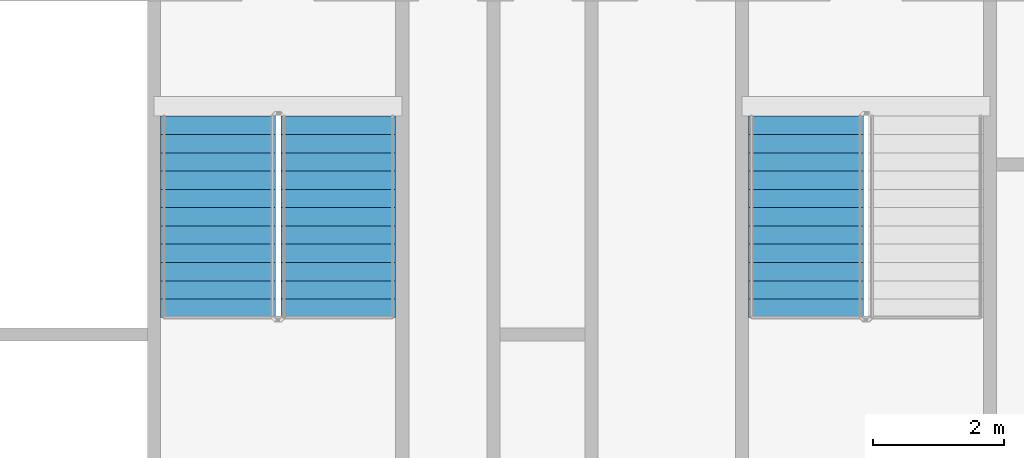
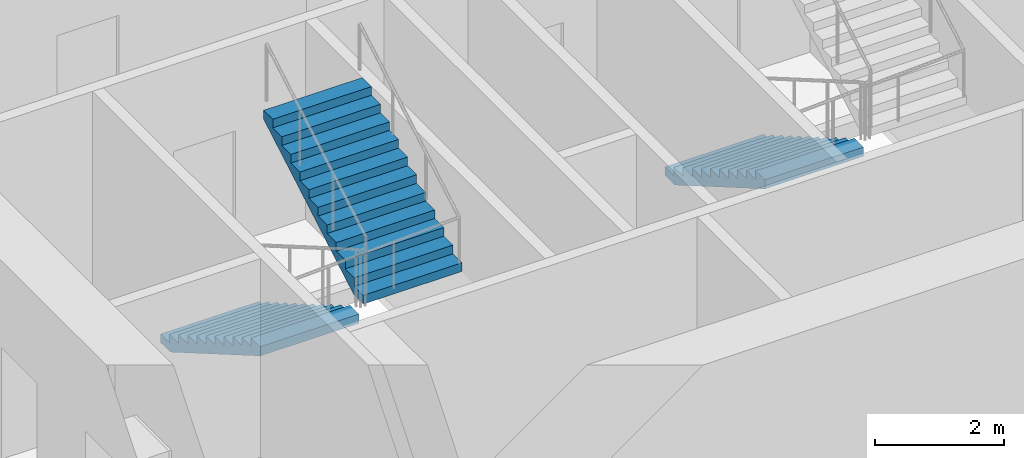
# One storey, part 8 of 15: 3 stair flights, 2 elements without a shape of their own.
"""IFC4 building model written with IfcOpenShell, lengths in metres."""

from ifc_helpers import new_model, si_unit, direction, frame, origin, place, context, subcontext, project, spatial, faceted_brep, material, type_object, element, aggregate, save


model = new_model("IFC4")

# Units and contexts
model_context = context("Model", 3, precision=1e-05, world=origin(), true_north=direction((0.0, 1.0)))
body_context = subcontext(model_context, "Body", "Model", "MODEL_VIEW")
ifc_project = project(units=[si_unit("LENGTHUNIT", "METRE"), si_unit("AREAUNIT", "SQUARE_METRE"), si_unit("VOLUMEUNIT", "CUBIC_METRE"), si_unit("PLANEANGLEUNIT", "RADIAN"), si_unit("MASSUNIT", "GRAM", prefix="KILO")], contexts=[model_context])

# Site, building, storey
site_placement = place(None, origin())
site = spatial("IfcSite", under=ifc_project, at=site_placement, CompositionType="ELEMENT")
building_placement = place(site_placement, origin())
building = spatial("IfcBuilding", under=site, at=building_placement, Name="Tarsis Ring Headquarters", CompositionType="ELEMENT")
storey_placement = place(building_placement, frame((0.0, 0.0, 59.5)))
storey = spatial("IfcBuildingStorey", under=building, at=storey_placement, Name="L12", CompositionType="ELEMENT", Elevation=59.5)

# Stair, stair flights
ifc_material_1 = material(Name="Core stair 1760")
stair_type = type_object("IfcStairType", Name="Core stair 1760", PredefinedType="HALF_TURN_STAIR", material=ifc_material_1)
stair_1_placement = place(storey_placement, origin())
stair_1 = element("IfcStair", 1, at=stair_1_placement, inside=storey, type_object=stair_type, Name="L12 Exit stair C", PredefinedType="HALF_TURN_STAIR")
ifc_material_2 = material(Name="Concrete C40/50", Category="concrete")
stair_flight_type = type_object("IfcStairFlightType", Name="Core stair flight 1760", PredefinedType="STRAIGHT", material=ifc_material_2)
stair_flight_1_placement = place(storey_placement, frame((-5.419921875, -3.659912109375, 0.0), z_axis=(0.0, 0.0, 1.0), x_axis=(0.0, -1.0, 0.0)))
stair_flight_1 = element("IfcStairFlight", 2, at=stair_flight_1_placement, type_object=stair_flight_type, Name="Stair ST3 flight 1", NumberOfRisers=12, NumberOfTreads=11, PredefinedType="STRAIGHT", RiserHeight=0.1625, TreadLength=0.28, context=body_context, shape_type="Brep", body=[
    faceted_brep([(0.0, 0.8798828125, 0.0), (0.0, 0.8798828125, 0.16259765625), (0.280029296875, 0.8798828125, 0.16259765625), (0.280029296875, 0.8798828125, 0.324951171875), (0.56005859375, 0.8798828125, 0.324951171875), (0.56005859375, 0.8798828125, 0.487548828125), (0.840087890625, 0.8798828125, 0.487548828125), (0.840087890625, 0.8798828125, 0.64990234375), (1.1201171875, 0.8798828125, 0.64990234375), (1.1201171875, 0.8798828125, 0.8125), (1.39990234375, 0.8798828125, 0.8125), (1.39990234375, 0.8798828125, 0.97509765625), (1.679931640625, 0.8798828125, 0.97509765625), (1.679931640625, 0.8798828125, 1.137451171875), (1.9599609375, 0.8798828125, 1.137451171875), (1.9599609375, 0.8798828125, 1.300048828125), (2.239990234375, 0.8798828125, 1.300048828125), (2.239990234375, 0.8798828125, 1.46240234375), (2.52001953125, 0.8798828125, 1.46240234375), (2.52001953125, 0.8798828125, 1.625), (2.800048828125, 0.8798828125, 1.625), (2.800048828125, 0.8798828125, 1.78759765625), (3.080078125, 0.8798828125, 1.78759765625), (3.080078125, 0.8798828125, 1.6142578125), (0.298583984375, 0.8798828125, 0.0), (0.298583984375, -0.8798828125, 0.0), (3.080078125, -0.8798828125, 1.6142578125), (3.080078125, -0.8798828125, 1.78759765625), (2.800048828125, -0.8798828125, 1.78759765625), (2.800048828125, -0.8798828125, 1.625), (2.52001953125, -0.8798828125, 1.625), (2.52001953125, -0.8798828125, 1.46240234375), (2.239990234375, -0.8798828125, 1.46240234375), (2.239990234375, -0.8798828125, 1.300048828125), (1.9599609375, -0.8798828125, 1.300048828125), (1.9599609375, -0.8798828125, 1.137451171875), (1.679931640625, -0.8798828125, 1.137451171875), (1.679931640625, -0.8798828125, 0.97509765625), (1.39990234375, -0.8798828125, 0.97509765625), (1.39990234375, -0.8798828125, 0.8125), (1.1201171875, -0.8798828125, 0.8125), (1.1201171875, -0.8798828125, 0.64990234375), (0.840087890625, -0.8798828125, 0.64990234375), (0.840087890625, -0.8798828125, 0.487548828125), (0.56005859375, -0.8798828125, 0.487548828125), (0.56005859375, -0.8798828125, 0.324951171875), (0.280029296875, -0.8798828125, 0.324951171875), (0.280029296875, -0.8798828125, 0.16259765625), (0.0, -0.8798828125, 0.16259765625), (0.0, -0.8798828125, 0.0), (0.0, -0.43994140625, 0.16259765625), (0.0, -0.43994140625, 0.0), (0.0, 0.0, 0.16259765625), (0.0, 0.0, 0.0), (0.0, 0.43994140625, 0.16259765625), (0.0, 0.43994140625, 0.0), (0.280029296875, -0.43994140625, 0.16259765625), (0.280029296875, 0.0, 0.16259765625), (0.280029296875, 0.43994140625, 0.16259765625), (0.280029296875, -0.43994140625, 0.324951171875), (0.280029296875, 0.0, 0.324951171875), (0.280029296875, 0.43994140625, 0.324951171875), (0.56005859375, -0.43994140625, 0.324951171875), (0.56005859375, 0.0, 0.324951171875), (0.56005859375, 0.43994140625, 0.324951171875), (0.56005859375, -0.43994140625, 0.487548828125), (0.56005859375, 0.0, 0.487548828125), (0.56005859375, 0.43994140625, 0.487548828125), (0.840087890625, -0.43994140625, 0.487548828125), (0.840087890625, 0.0, 0.487548828125), (0.840087890625, 0.43994140625, 0.487548828125), (0.840087890625, -0.43994140625, 0.64990234375), (0.840087890625, 0.0, 0.64990234375), (0.840087890625, 0.43994140625, 0.64990234375), (1.1201171875, -0.43994140625, 0.64990234375), (1.1201171875, 0.0, 0.64990234375), (1.1201171875, 0.43994140625, 0.64990234375), (1.1201171875, -0.43994140625, 0.8125), (1.1201171875, 0.0, 0.8125), (1.1201171875, 0.43994140625, 0.8125), (1.39990234375, -0.43994140625, 0.8125), (1.39990234375, 0.0, 0.8125), (1.39990234375, 0.43994140625, 0.8125), (1.39990234375, -0.43994140625, 0.97509765625), (1.39990234375, 0.0, 0.97509765625), (1.39990234375, 0.43994140625, 0.97509765625), (1.679931640625, -0.43994140625, 0.97509765625), (1.679931640625, 0.0, 0.97509765625), (1.679931640625, 0.43994140625, 0.97509765625), (1.679931640625, -0.43994140625, 1.137451171875), (1.679931640625, 0.0, 1.137451171875), (1.679931640625, 0.43994140625, 1.137451171875), (1.9599609375, -0.43994140625, 1.137451171875), (1.9599609375, 0.0, 1.137451171875), (1.9599609375, 0.43994140625, 1.137451171875), (1.9599609375, -0.43994140625, 1.300048828125), (1.9599609375, 0.0, 1.300048828125), (1.9599609375, 0.43994140625, 1.300048828125), (2.239990234375, -0.43994140625, 1.300048828125), (2.239990234375, 0.0, 1.300048828125), (2.239990234375, 0.43994140625, 1.300048828125), (2.239990234375, -0.43994140625, 1.46240234375), (2.239990234375, 0.0, 1.46240234375), (2.239990234375, 0.43994140625, 1.46240234375), (2.52001953125, -0.43994140625, 1.46240234375), (2.52001953125, 0.0, 1.46240234375), (2.52001953125, 0.43994140625, 1.46240234375), (2.52001953125, -0.43994140625, 1.625), (2.52001953125, 0.0, 1.625), (2.52001953125, 0.43994140625, 1.625), (2.800048828125, -0.43994140625, 1.625), (2.800048828125, 0.0, 1.625), (2.800048828125, 0.43994140625, 1.625), (2.800048828125, -0.43994140625, 1.78759765625), (2.800048828125, 0.0, 1.78759765625), (2.800048828125, 0.43994140625, 1.78759765625), (3.080078125, -0.43994140625, 1.78759765625), (3.080078125, 0.0, 1.78759765625), (3.080078125, 0.43994140625, 1.78759765625), (3.080078125, -0.43994140625, 1.6142578125), (3.080078125, 0.0, 1.6142578125), (3.080078125, 0.43994140625, 1.6142578125), (0.298583984375, -0.43994140625, 0.0), (0.298583984375, 0.0, 0.0), (0.298583984375, 0.43994140625, 0.0)], [[[0, 1, 2, 3, 4, 5, 6, 7, 8, 9, 10, 11, 12, 13, 14, 15, 16, 17, 18, 19, 20, 21, 22, 23, 24]], [[25, 26, 27, 28, 29, 30, 31, 32, 33, 34, 35, 36, 37, 38, 39, 40, 41, 42, 43, 44, 45, 46, 47, 48, 49]], [[49, 48, 50, 51]], [[51, 50, 52, 53]], [[53, 52, 54, 55]], [[55, 54, 1, 0]], [[48, 47, 56, 50]], [[50, 56, 57, 52]], [[52, 57, 58, 54]], [[54, 58, 2, 1]], [[47, 46, 59, 56]], [[56, 59, 60, 57]], [[57, 60, 61, 58]], [[58, 61, 3, 2]], [[46, 45, 62, 59]], [[59, 62, 63, 60]], [[60, 63, 64, 61]], [[61, 64, 4, 3]], [[45, 44, 65, 62]], [[62, 65, 66, 63]], [[63, 66, 67, 64]], [[64, 67, 5, 4]], [[44, 43, 68, 65]], [[65, 68, 69, 66]], [[66, 69, 70, 67]], [[67, 70, 6, 5]], [[43, 42, 71, 68]], [[68, 71, 72, 69]], [[69, 72, 73, 70]], [[70, 73, 7, 6]], [[42, 41, 74, 71]], [[71, 74, 75, 72]], [[72, 75, 76, 73]], [[73, 76, 8, 7]], [[41, 40, 77, 74]], [[74, 77, 78, 75]], [[75, 78, 79, 76]], [[76, 79, 9, 8]], [[40, 39, 80, 77]], [[77, 80, 81, 78]], [[78, 81, 82, 79]], [[79, 82, 10, 9]], [[39, 38, 83, 80]], [[80, 83, 84, 81]], [[81, 84, 85, 82]], [[82, 85, 11, 10]], [[38, 37, 86, 83]], [[83, 86, 87, 84]], [[84, 87, 88, 85]], [[85, 88, 12, 11]], [[37, 36, 89, 86]], [[86, 89, 90, 87]], [[87, 90, 91, 88]], [[88, 91, 13, 12]], [[36, 35, 92, 89]], [[89, 92, 93, 90]], [[90, 93, 94, 91]], [[91, 94, 14, 13]], [[35, 34, 95, 92]], [[92, 95, 96, 93]], [[93, 96, 97, 94]], [[94, 97, 15, 14]], [[34, 33, 98, 95]], [[95, 98, 99, 96]], [[96, 99, 100, 97]], [[97, 100, 16, 15]], [[33, 32, 101, 98]], [[98, 101, 102, 99]], [[99, 102, 103, 100]], [[100, 103, 17, 16]], [[32, 31, 104, 101]], [[101, 104, 105, 102]], [[102, 105, 106, 103]], [[103, 106, 18, 17]], [[31, 30, 107, 104]], [[104, 107, 108, 105]], [[105, 108, 109, 106]], [[106, 109, 19, 18]], [[30, 29, 110, 107]], [[107, 110, 111, 108]], [[108, 111, 112, 109]], [[109, 112, 20, 19]], [[29, 28, 113, 110]], [[110, 113, 114, 111]], [[111, 114, 115, 112]], [[112, 115, 21, 20]], [[28, 27, 116, 113]], [[113, 116, 117, 114]], [[114, 117, 118, 115]], [[115, 118, 22, 21]], [[27, 26, 119, 116]], [[116, 119, 120, 117]], [[117, 120, 121, 118]], [[118, 121, 23, 22]], [[26, 25, 122, 119]], [[119, 122, 123, 120]], [[120, 123, 124, 121]], [[121, 124, 24, 23]], [[25, 49, 51, 122]], [[122, 51, 53, 123]], [[123, 53, 55, 124]], [[124, 55, 0, 24]]]),
])
stair_flight_2_placement = place(storey_placement, frame((-3.580078125, -6.739990234375, 1.949951171875), z_axis=(0.0, 0.0, 1.0), x_axis=(0.0, 1.0, 0.0)))
stair_flight_2 = element("IfcStairFlight", 3, at=stair_flight_2_placement, type_object=stair_flight_type, Name="Stair ST3 flight 2", NumberOfRisers=12, NumberOfTreads=11, PredefinedType="STRAIGHT", RiserHeight=0.1625, TreadLength=0.28, context=body_context, shape_type="Brep", body=[
    faceted_brep([(0.0, 0.8798828125, 0.0), (0.0, 0.8798828125, 0.16259765625), (0.280029296875, 0.8798828125, 0.16259765625), (0.280029296875, 0.8798828125, 0.324951171875), (0.56005859375, 0.8798828125, 0.324951171875), (0.56005859375, 0.8798828125, 0.487548828125), (0.840087890625, 0.8798828125, 0.487548828125), (0.840087890625, 0.8798828125, 0.64990234375), (1.1201171875, 0.8798828125, 0.64990234375), (1.1201171875, 0.8798828125, 0.8125), (1.39990234375, 0.8798828125, 0.8125), (1.39990234375, 0.8798828125, 0.97509765625), (1.679931640625, 0.8798828125, 0.97509765625), (1.679931640625, 0.8798828125, 1.137451171875), (1.9599609375, 0.8798828125, 1.137451171875), (1.9599609375, 0.8798828125, 1.300048828125), (2.239990234375, 0.8798828125, 1.300048828125), (2.239990234375, 0.8798828125, 1.46240234375), (2.52001953125, 0.8798828125, 1.46240234375), (2.52001953125, 0.8798828125, 1.625), (2.800048828125, 0.8798828125, 1.625), (2.800048828125, 0.8798828125, 1.78759765625), (3.080078125, 0.8798828125, 1.78759765625), (3.080078125, 0.8798828125, 1.6142578125), (0.298583984375, 0.8798828125, 0.0), (0.298583984375, -0.8798828125, 0.0), (3.080078125, -0.8798828125, 1.6142578125), (3.080078125, -0.8798828125, 1.78759765625), (2.800048828125, -0.8798828125, 1.78759765625), (2.800048828125, -0.8798828125, 1.625), (2.52001953125, -0.8798828125, 1.625), (2.52001953125, -0.8798828125, 1.46240234375), (2.239990234375, -0.8798828125, 1.46240234375), (2.239990234375, -0.8798828125, 1.300048828125), (1.9599609375, -0.8798828125, 1.300048828125), (1.9599609375, -0.8798828125, 1.137451171875), (1.679931640625, -0.8798828125, 1.137451171875), (1.679931640625, -0.8798828125, 0.97509765625), (1.39990234375, -0.8798828125, 0.97509765625), (1.39990234375, -0.8798828125, 0.8125), (1.1201171875, -0.8798828125, 0.8125), (1.1201171875, -0.8798828125, 0.64990234375), (0.840087890625, -0.8798828125, 0.64990234375), (0.840087890625, -0.8798828125, 0.487548828125), (0.56005859375, -0.8798828125, 0.487548828125), (0.56005859375, -0.8798828125, 0.324951171875), (0.280029296875, -0.8798828125, 0.324951171875), (0.280029296875, -0.8798828125, 0.16259765625), (0.0, -0.8798828125, 0.16259765625), (0.0, -0.8798828125, 0.0), (0.0, -0.43994140625, 0.16259765625), (0.0, -0.43994140625, 0.0), (0.0, 0.0, 0.16259765625), (0.0, 0.0, 0.0), (0.0, 0.43994140625, 0.16259765625), (0.0, 0.43994140625, 0.0), (0.280029296875, -0.43994140625, 0.16259765625), (0.280029296875, 0.0, 0.16259765625), (0.280029296875, 0.43994140625, 0.16259765625), (0.280029296875, -0.43994140625, 0.324951171875), (0.280029296875, 0.0, 0.324951171875), (0.280029296875, 0.43994140625, 0.324951171875), (0.56005859375, -0.43994140625, 0.324951171875), (0.56005859375, 0.0, 0.324951171875), (0.56005859375, 0.43994140625, 0.324951171875), (0.56005859375, -0.43994140625, 0.487548828125), (0.56005859375, 0.0, 0.487548828125), (0.56005859375, 0.43994140625, 0.487548828125), (0.840087890625, -0.43994140625, 0.487548828125), (0.840087890625, 0.0, 0.487548828125), (0.840087890625, 0.43994140625, 0.487548828125), (0.840087890625, -0.43994140625, 0.64990234375), (0.840087890625, 0.0, 0.64990234375), (0.840087890625, 0.43994140625, 0.64990234375), (1.1201171875, -0.43994140625, 0.64990234375), (1.1201171875, 0.0, 0.64990234375), (1.1201171875, 0.43994140625, 0.64990234375), (1.1201171875, -0.43994140625, 0.8125), (1.1201171875, 0.0, 0.8125), (1.1201171875, 0.43994140625, 0.8125), (1.39990234375, -0.43994140625, 0.8125), (1.39990234375, 0.0, 0.8125), (1.39990234375, 0.43994140625, 0.8125), (1.39990234375, -0.43994140625, 0.97509765625), (1.39990234375, 0.0, 0.97509765625), (1.39990234375, 0.43994140625, 0.97509765625), (1.679931640625, -0.43994140625, 0.97509765625), (1.679931640625, 0.0, 0.97509765625), (1.679931640625, 0.43994140625, 0.97509765625), (1.679931640625, -0.43994140625, 1.137451171875), (1.679931640625, 0.0, 1.137451171875), (1.679931640625, 0.43994140625, 1.137451171875), (1.9599609375, -0.43994140625, 1.137451171875), (1.9599609375, 0.0, 1.137451171875), (1.9599609375, 0.43994140625, 1.137451171875), (1.9599609375, -0.43994140625, 1.300048828125), (1.9599609375, 0.0, 1.300048828125), (1.9599609375, 0.43994140625, 1.300048828125), (2.239990234375, -0.43994140625, 1.300048828125), (2.239990234375, 0.0, 1.300048828125), (2.239990234375, 0.43994140625, 1.300048828125), (2.239990234375, -0.43994140625, 1.46240234375), (2.239990234375, 0.0, 1.46240234375), (2.239990234375, 0.43994140625, 1.46240234375), (2.52001953125, -0.43994140625, 1.46240234375), (2.52001953125, 0.0, 1.46240234375), (2.52001953125, 0.43994140625, 1.46240234375), (2.52001953125, -0.43994140625, 1.625), (2.52001953125, 0.0, 1.625), (2.52001953125, 0.43994140625, 1.625), (2.800048828125, -0.43994140625, 1.625), (2.800048828125, 0.0, 1.625), (2.800048828125, 0.43994140625, 1.625), (2.800048828125, -0.43994140625, 1.78759765625), (2.800048828125, 0.0, 1.78759765625), (2.800048828125, 0.43994140625, 1.78759765625), (3.080078125, -0.43994140625, 1.78759765625), (3.080078125, 0.0, 1.78759765625), (3.080078125, 0.43994140625, 1.78759765625), (3.080078125, -0.43994140625, 1.6142578125), (3.080078125, 0.0, 1.6142578125), (3.080078125, 0.43994140625, 1.6142578125), (0.298583984375, -0.43994140625, 0.0), (0.298583984375, 0.0, 0.0), (0.298583984375, 0.43994140625, 0.0)], [[[0, 1, 2, 3, 4, 5, 6, 7, 8, 9, 10, 11, 12, 13, 14, 15, 16, 17, 18, 19, 20, 21, 22, 23, 24]], [[25, 26, 27, 28, 29, 30, 31, 32, 33, 34, 35, 36, 37, 38, 39, 40, 41, 42, 43, 44, 45, 46, 47, 48, 49]], [[49, 48, 50, 51]], [[51, 50, 52, 53]], [[53, 52, 54, 55]], [[55, 54, 1, 0]], [[48, 47, 56, 50]], [[50, 56, 57, 52]], [[52, 57, 58, 54]], [[54, 58, 2, 1]], [[47, 46, 59, 56]], [[56, 59, 60, 57]], [[57, 60, 61, 58]], [[58, 61, 3, 2]], [[46, 45, 62, 59]], [[59, 62, 63, 60]], [[60, 63, 64, 61]], [[61, 64, 4, 3]], [[45, 44, 65, 62]], [[62, 65, 66, 63]], [[63, 66, 67, 64]], [[64, 67, 5, 4]], [[44, 43, 68, 65]], [[65, 68, 69, 66]], [[66, 69, 70, 67]], [[67, 70, 6, 5]], [[43, 42, 71, 68]], [[68, 71, 72, 69]], [[69, 72, 73, 70]], [[70, 73, 7, 6]], [[42, 41, 74, 71]], [[71, 74, 75, 72]], [[72, 75, 76, 73]], [[73, 76, 8, 7]], [[41, 40, 77, 74]], [[74, 77, 78, 75]], [[75, 78, 79, 76]], [[76, 79, 9, 8]], [[40, 39, 80, 77]], [[77, 80, 81, 78]], [[78, 81, 82, 79]], [[79, 82, 10, 9]], [[39, 38, 83, 80]], [[80, 83, 84, 81]], [[81, 84, 85, 82]], [[82, 85, 11, 10]], [[38, 37, 86, 83]], [[83, 86, 87, 84]], [[84, 87, 88, 85]], [[85, 88, 12, 11]], [[37, 36, 89, 86]], [[86, 89, 90, 87]], [[87, 90, 91, 88]], [[88, 91, 13, 12]], [[36, 35, 92, 89]], [[89, 92, 93, 90]], [[90, 93, 94, 91]], [[91, 94, 14, 13]], [[35, 34, 95, 92]], [[92, 95, 96, 93]], [[93, 96, 97, 94]], [[94, 97, 15, 14]], [[34, 33, 98, 95]], [[95, 98, 99, 96]], [[96, 99, 100, 97]], [[97, 100, 16, 15]], [[33, 32, 101, 98]], [[98, 101, 102, 99]], [[99, 102, 103, 100]], [[100, 103, 17, 16]], [[32, 31, 104, 101]], [[101, 104, 105, 102]], [[102, 105, 106, 103]], [[103, 106, 18, 17]], [[31, 30, 107, 104]], [[104, 107, 108, 105]], [[105, 108, 109, 106]], [[106, 109, 19, 18]], [[30, 29, 110, 107]], [[107, 110, 111, 108]], [[108, 111, 112, 109]], [[109, 112, 20, 19]], [[29, 28, 113, 110]], [[110, 113, 114, 111]], [[111, 114, 115, 112]], [[112, 115, 21, 20]], [[28, 27, 116, 113]], [[113, 116, 117, 114]], [[114, 117, 118, 115]], [[115, 118, 22, 21]], [[27, 26, 119, 116]], [[116, 119, 120, 117]], [[117, 120, 121, 118]], [[118, 121, 23, 22]], [[26, 25, 122, 119]], [[119, 122, 123, 120]], [[120, 123, 124, 121]], [[121, 124, 24, 23]], [[25, 49, 51, 122]], [[122, 51, 53, 123]], [[123, 53, 55, 124]], [[124, 55, 0, 24]]]),
])
aggregate(stair_1, [stair_flight_1, stair_flight_2])

# Stair, stair flight
stair_2_placement = place(storey_placement, origin())
stair_2 = element("IfcStair", 4, at=stair_2_placement, inside=storey, type_object=stair_type, Name="L12 Exit stair D", PredefinedType="HALF_TURN_STAIR")
stair_flight_3_placement = place(storey_placement, frame((3.580078125, -3.659912109375, 0.0), z_axis=(0.0, 0.0, 1.0), x_axis=(0.0, -1.0, 0.0)))
stair_flight_3 = element("IfcStairFlight", 5, at=stair_flight_3_placement, type_object=stair_flight_type, Name="Stair ST4 flight 1", NumberOfRisers=12, NumberOfTreads=11, PredefinedType="STRAIGHT", RiserHeight=0.1625, TreadLength=0.28, context=body_context, shape_type="Brep", body=[
    faceted_brep([(0.0, 0.8798828125, 0.0), (0.0, 0.8798828125, 0.16259765625), (0.280029296875, 0.8798828125, 0.16259765625), (0.280029296875, 0.8798828125, 0.324951171875), (0.56005859375, 0.8798828125, 0.324951171875), (0.56005859375, 0.8798828125, 0.487548828125), (0.840087890625, 0.8798828125, 0.487548828125), (0.840087890625, 0.8798828125, 0.64990234375), (1.1201171875, 0.8798828125, 0.64990234375), (1.1201171875, 0.8798828125, 0.8125), (1.39990234375, 0.8798828125, 0.8125), (1.39990234375, 0.8798828125, 0.97509765625), (1.679931640625, 0.8798828125, 0.97509765625), (1.679931640625, 0.8798828125, 1.137451171875), (1.9599609375, 0.8798828125, 1.137451171875), (1.9599609375, 0.8798828125, 1.300048828125), (2.239990234375, 0.8798828125, 1.300048828125), (2.239990234375, 0.8798828125, 1.46240234375), (2.52001953125, 0.8798828125, 1.46240234375), (2.52001953125, 0.8798828125, 1.625), (2.800048828125, 0.8798828125, 1.625), (2.800048828125, 0.8798828125, 1.78759765625), (3.080078125, 0.8798828125, 1.78759765625), (3.080078125, 0.8798828125, 1.6142578125), (0.298583984375, 0.8798828125, 0.0), (0.298583984375, -0.8798828125, 0.0), (3.080078125, -0.8798828125, 1.6142578125), (3.080078125, -0.8798828125, 1.78759765625), (2.800048828125, -0.8798828125, 1.78759765625), (2.800048828125, -0.8798828125, 1.625), (2.52001953125, -0.8798828125, 1.625), (2.52001953125, -0.8798828125, 1.46240234375), (2.239990234375, -0.8798828125, 1.46240234375), (2.239990234375, -0.8798828125, 1.300048828125), (1.9599609375, -0.8798828125, 1.300048828125), (1.9599609375, -0.8798828125, 1.137451171875), (1.679931640625, -0.8798828125, 1.137451171875), (1.679931640625, -0.8798828125, 0.97509765625), (1.39990234375, -0.8798828125, 0.97509765625), (1.39990234375, -0.8798828125, 0.8125), (1.1201171875, -0.8798828125, 0.8125), (1.1201171875, -0.8798828125, 0.64990234375), (0.840087890625, -0.8798828125, 0.64990234375), (0.840087890625, -0.8798828125, 0.487548828125), (0.56005859375, -0.8798828125, 0.487548828125), (0.56005859375, -0.8798828125, 0.324951171875), (0.280029296875, -0.8798828125, 0.324951171875), (0.280029296875, -0.8798828125, 0.16259765625), (0.0, -0.8798828125, 0.16259765625), (0.0, -0.8798828125, 0.0), (0.0, -0.43994140625, 0.16259765625), (0.0, -0.43994140625, 0.0), (0.0, 0.0, 0.16259765625), (0.0, 0.0, 0.0), (0.0, 0.43994140625, 0.16259765625), (0.0, 0.43994140625, 0.0), (0.280029296875, -0.43994140625, 0.16259765625), (0.280029296875, 0.0, 0.16259765625), (0.280029296875, 0.43994140625, 0.16259765625), (0.280029296875, -0.43994140625, 0.324951171875), (0.280029296875, 0.0, 0.324951171875), (0.280029296875, 0.43994140625, 0.324951171875), (0.56005859375, -0.43994140625, 0.324951171875), (0.56005859375, 0.0, 0.324951171875), (0.56005859375, 0.43994140625, 0.324951171875), (0.56005859375, -0.43994140625, 0.487548828125), (0.56005859375, 0.0, 0.487548828125), (0.56005859375, 0.43994140625, 0.487548828125), (0.840087890625, -0.43994140625, 0.487548828125), (0.840087890625, 0.0, 0.487548828125), (0.840087890625, 0.43994140625, 0.487548828125), (0.840087890625, -0.43994140625, 0.64990234375), (0.840087890625, 0.0, 0.64990234375), (0.840087890625, 0.43994140625, 0.64990234375), (1.1201171875, -0.43994140625, 0.64990234375), (1.1201171875, 0.0, 0.64990234375), (1.1201171875, 0.43994140625, 0.64990234375), (1.1201171875, -0.43994140625, 0.8125), (1.1201171875, 0.0, 0.8125), (1.1201171875, 0.43994140625, 0.8125), (1.39990234375, -0.43994140625, 0.8125), (1.39990234375, 0.0, 0.8125), (1.39990234375, 0.43994140625, 0.8125), (1.39990234375, -0.43994140625, 0.97509765625), (1.39990234375, 0.0, 0.97509765625), (1.39990234375, 0.43994140625, 0.97509765625), (1.679931640625, -0.43994140625, 0.97509765625), (1.679931640625, 0.0, 0.97509765625), (1.679931640625, 0.43994140625, 0.97509765625), (1.679931640625, -0.43994140625, 1.137451171875), (1.679931640625, 0.0, 1.137451171875), (1.679931640625, 0.43994140625, 1.137451171875), (1.9599609375, -0.43994140625, 1.137451171875), (1.9599609375, 0.0, 1.137451171875), (1.9599609375, 0.43994140625, 1.137451171875), (1.9599609375, -0.43994140625, 1.300048828125), (1.9599609375, 0.0, 1.300048828125), (1.9599609375, 0.43994140625, 1.300048828125), (2.239990234375, -0.43994140625, 1.300048828125), (2.239990234375, 0.0, 1.300048828125), (2.239990234375, 0.43994140625, 1.300048828125), (2.239990234375, -0.43994140625, 1.46240234375), (2.239990234375, 0.0, 1.46240234375), (2.239990234375, 0.43994140625, 1.46240234375), (2.52001953125, -0.43994140625, 1.46240234375), (2.52001953125, 0.0, 1.46240234375), (2.52001953125, 0.43994140625, 1.46240234375), (2.52001953125, -0.43994140625, 1.625), (2.52001953125, 0.0, 1.625), (2.52001953125, 0.43994140625, 1.625), (2.800048828125, -0.43994140625, 1.625), (2.800048828125, 0.0, 1.625), (2.800048828125, 0.43994140625, 1.625), (2.800048828125, -0.43994140625, 1.78759765625), (2.800048828125, 0.0, 1.78759765625), (2.800048828125, 0.43994140625, 1.78759765625), (3.080078125, -0.43994140625, 1.78759765625), (3.080078125, 0.0, 1.78759765625), (3.080078125, 0.43994140625, 1.78759765625), (3.080078125, -0.43994140625, 1.6142578125), (3.080078125, 0.0, 1.6142578125), (3.080078125, 0.43994140625, 1.6142578125), (0.298583984375, -0.43994140625, 0.0), (0.298583984375, 0.0, 0.0), (0.298583984375, 0.43994140625, 0.0)], [[[0, 1, 2, 3, 4, 5, 6, 7, 8, 9, 10, 11, 12, 13, 14, 15, 16, 17, 18, 19, 20, 21, 22, 23, 24]], [[25, 26, 27, 28, 29, 30, 31, 32, 33, 34, 35, 36, 37, 38, 39, 40, 41, 42, 43, 44, 45, 46, 47, 48, 49]], [[49, 48, 50, 51]], [[51, 50, 52, 53]], [[53, 52, 54, 55]], [[55, 54, 1, 0]], [[48, 47, 56, 50]], [[50, 56, 57, 52]], [[52, 57, 58, 54]], [[54, 58, 2, 1]], [[47, 46, 59, 56]], [[56, 59, 60, 57]], [[57, 60, 61, 58]], [[58, 61, 3, 2]], [[46, 45, 62, 59]], [[59, 62, 63, 60]], [[60, 63, 64, 61]], [[61, 64, 4, 3]], [[45, 44, 65, 62]], [[62, 65, 66, 63]], [[63, 66, 67, 64]], [[64, 67, 5, 4]], [[44, 43, 68, 65]], [[65, 68, 69, 66]], [[66, 69, 70, 67]], [[67, 70, 6, 5]], [[43, 42, 71, 68]], [[68, 71, 72, 69]], [[69, 72, 73, 70]], [[70, 73, 7, 6]], [[42, 41, 74, 71]], [[71, 74, 75, 72]], [[72, 75, 76, 73]], [[73, 76, 8, 7]], [[41, 40, 77, 74]], [[74, 77, 78, 75]], [[75, 78, 79, 76]], [[76, 79, 9, 8]], [[40, 39, 80, 77]], [[77, 80, 81, 78]], [[78, 81, 82, 79]], [[79, 82, 10, 9]], [[39, 38, 83, 80]], [[80, 83, 84, 81]], [[81, 84, 85, 82]], [[82, 85, 11, 10]], [[38, 37, 86, 83]], [[83, 86, 87, 84]], [[84, 87, 88, 85]], [[85, 88, 12, 11]], [[37, 36, 89, 86]], [[86, 89, 90, 87]], [[87, 90, 91, 88]], [[88, 91, 13, 12]], [[36, 35, 92, 89]], [[89, 92, 93, 90]], [[90, 93, 94, 91]], [[91, 94, 14, 13]], [[35, 34, 95, 92]], [[92, 95, 96, 93]], [[93, 96, 97, 94]], [[94, 97, 15, 14]], [[34, 33, 98, 95]], [[95, 98, 99, 96]], [[96, 99, 100, 97]], [[97, 100, 16, 15]], [[33, 32, 101, 98]], [[98, 101, 102, 99]], [[99, 102, 103, 100]], [[100, 103, 17, 16]], [[32, 31, 104, 101]], [[101, 104, 105, 102]], [[102, 105, 106, 103]], [[103, 106, 18, 17]], [[31, 30, 107, 104]], [[104, 107, 108, 105]], [[105, 108, 109, 106]], [[106, 109, 19, 18]], [[30, 29, 110, 107]], [[107, 110, 111, 108]], [[108, 111, 112, 109]], [[109, 112, 20, 19]], [[29, 28, 113, 110]], [[110, 113, 114, 111]], [[111, 114, 115, 112]], [[112, 115, 21, 20]], [[28, 27, 116, 113]], [[113, 116, 117, 114]], [[114, 117, 118, 115]], [[115, 118, 22, 21]], [[27, 26, 119, 116]], [[116, 119, 120, 117]], [[117, 120, 121, 118]], [[118, 121, 23, 22]], [[26, 25, 122, 119]], [[119, 122, 123, 120]], [[120, 123, 124, 121]], [[121, 124, 24, 23]], [[25, 49, 51, 122]], [[122, 51, 53, 123]], [[123, 53, 55, 124]], [[124, 55, 0, 24]]]),
])
aggregate(stair_2, [stair_flight_3])

save(model, "model.ifc")
